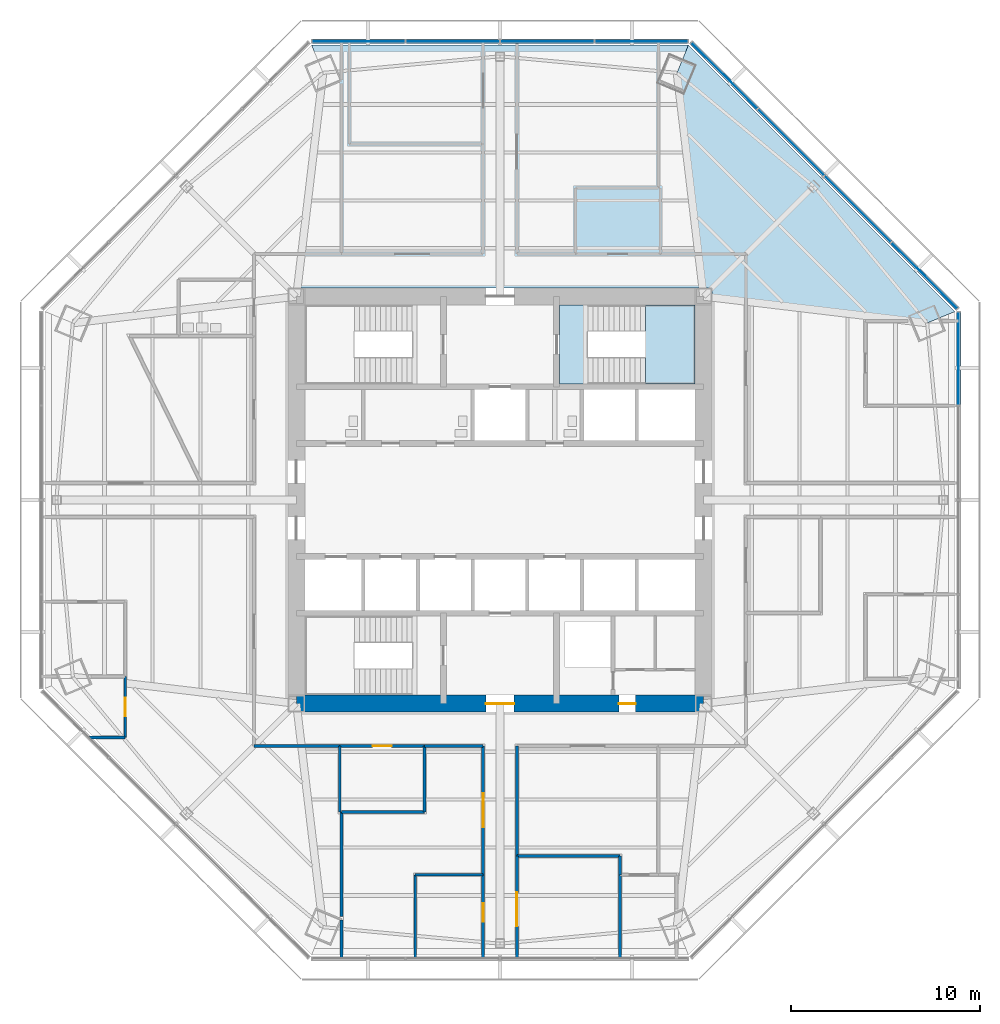
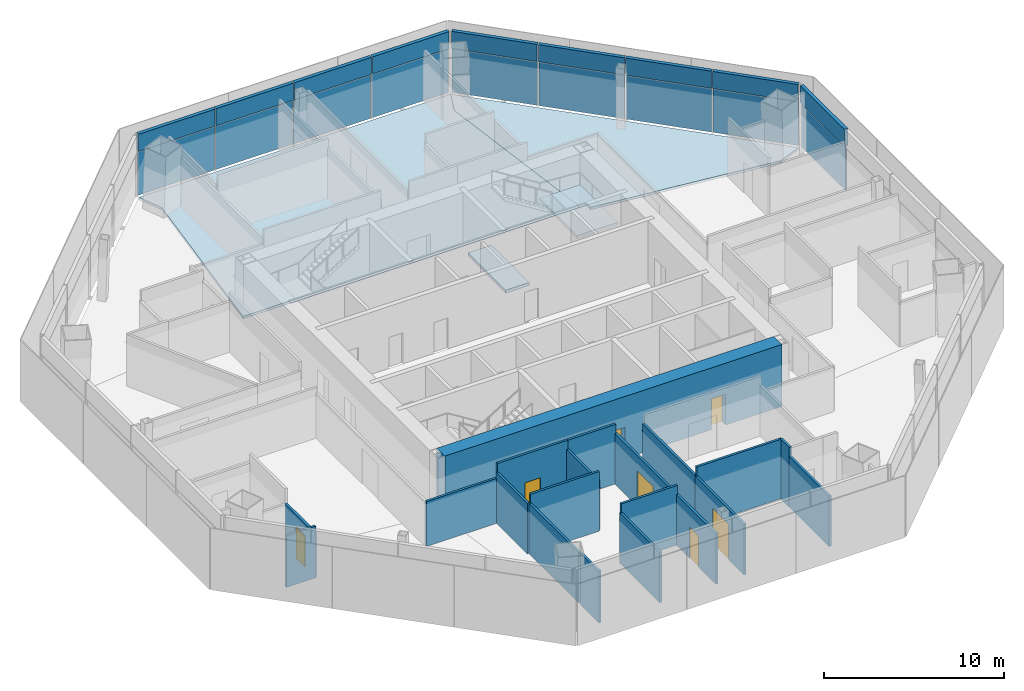
# One storey, part 8 of 14: 20 walls, 18 plates, 7 doors, 4 slabs, 7 openings, 4 elements without a shape of their own.
"""IFC4 building model written with IfcOpenShell, lengths in metres."""

import ifcopenshell
import ifcopenshell.guid

model = None  # the IFC model being written
_history = None  # IfcOwnerHistory: only IFC2X3 demands one
_inside = {}  # id of a spatial element -> (the spatial element, [elements in it])
_under = {}  # id of a project, library or spatial element -> (it, [spatial elements below it])
_declared = {}  # id of a project -> (the project, [libraries it declares])
_typed = {}  # id of a type object -> (the type object, [elements of that type])
_made_of = {}  # id of a material, layer set ... -> (it, [elements and type objects made of it])


def new_model(schema):
    """Start an empty IFC model of exactly this schema.

    Asked for "IFC4X3", IfcOpenShell would pick the latest addendum, in which some entities
    have other attributes; the version numbers below select the first issue.
    IFC2X3 requires an IfcOwnerHistory on every rooted entity: one is made here for all.
    """
    global model, _history
    if schema == "IFC4X3":
        model = ifcopenshell.file(schema_version=(4, 3, 0, 0))
    else:
        model = ifcopenshell.file(schema=schema)
    _inside.clear()
    _under.clear()
    _declared.clear()
    _typed.clear()
    _made_of.clear()
    _history = None
    if model.schema == "IFC2X3":
        org = make("IfcOrganization", Name="unknown")
        user = make(
            "IfcPersonAndOrganization",
            ThePerson=make("IfcPerson", FamilyName="unknown"),
            TheOrganization=org,
        )
        app = make(
            "IfcApplication",
            ApplicationDeveloper=org,
            Version="unknown",
            ApplicationFullName="unknown",
            ApplicationIdentifier="unknown",
        )
        _history = make(
            "IfcOwnerHistory",
            OwningUser=user,
            OwningApplication=app,
            ChangeAction="ADDED",
            CreationDate=0,
        )
    return model


def make(cls, **values):
    """One entity of the class cls with the attributes given. An attribute that is None is left unset."""
    return model.create_entity(
        cls, **{name: value for name, value in values.items() if value is not None}
    )


def rooted(cls, **values):
    """An entity with a GlobalId (a new one), such as an element, a storey or a relation."""
    return make(cls, GlobalId=ifcopenshell.guid.new(), OwnerHistory=_history, **values)


def si_unit(unit_type, name, prefix=None):
    """IfcSIUnit, for example si_unit("LENGTHUNIT", "METRE", prefix="MILLI")."""
    return make("IfcSIUnit", UnitType=unit_type, Prefix=prefix, Name=name)


def assignment(units):
    """IfcUnitAssignment: the units of a project."""
    return None if units is None else make("IfcUnitAssignment", Units=units)


def point(xyz):
    """IfcCartesianPoint."""
    return None if xyz is None else make("IfcCartesianPoint", Coordinates=xyz)


def direction(xyz):
    """IfcDirection."""
    return None if xyz is None else make("IfcDirection", DirectionRatios=xyz)


def frame(location, z_axis=None, x_axis=None):
    """IfcAxis2Placement3D, a coordinate frame: its origin and axes. An axis left out is left unset."""
    return make(
        "IfcAxis2Placement3D",
        Location=point(location),
        Axis=direction(z_axis),
        RefDirection=direction(x_axis),
    )


def frame_2d(location, x_axis=None):
    """IfcAxis2Placement2D, a coordinate frame in the plane: its origin and x axis."""
    return make(
        "IfcAxis2Placement2D", Location=point(location), RefDirection=direction(x_axis)
    )


def origin():
    """The frame at (0, 0, 0) with its axes left unset."""
    return frame((0.0, 0.0, 0.0))


def origin_2d():
    """The frame at (0, 0) in the plane with its x axis left unset."""
    return frame_2d((0.0, 0.0))


def place(relative_to, where):
    """IfcLocalPlacement: puts the frame where relative to a parent placement (None: the world)."""
    return make(
        "IfcLocalPlacement", PlacementRelTo=relative_to, RelativePlacement=where
    )


def context(
    kind, dimensions, precision=None, world=None, true_north=None, identifier=None
):
    """IfcGeometricRepresentationContext, for example the 3D "Model" context."""
    return make(
        "IfcGeometricRepresentationContext",
        ContextIdentifier=identifier,
        ContextType=kind,
        CoordinateSpaceDimension=dimensions,
        Precision=precision,
        WorldCoordinateSystem=world,
        TrueNorth=true_north,
    )


def subcontext(parent, identifier, kind, view, scale=None):
    """IfcGeometricRepresentationSubContext, for example "Body" below "Model"."""
    return make(
        "IfcGeometricRepresentationSubContext",
        ContextIdentifier=identifier,
        ContextType=kind,
        ParentContext=parent,
        TargetScale=scale,
        TargetView=view,
    )


def project(units=None, contexts=None):
    """IfcProject with its units and contexts."""
    return rooted(
        "IfcProject",
        Name="project",
        RepresentationContexts=contexts,
        UnitsInContext=assignment(units),
    )


def spatial(cls, under=None, at=None, **own):
    """A site, building, storey or space (cls), placed at a placement, below another one or the project."""
    s = rooted(cls, ObjectPlacement=at, **own)
    if under is not None:
        _under.setdefault(under.id(), (under, []))[1].append(s)
    return s


def polyline(points):
    """IfcPolyline through the points."""
    return make("IfcPolyline", Points=[point(p) for p in points])


def profile(cls, at=None, kind="AREA", **sizes):
    """A parametric profile (cls). Its sizes go by their IFC names, for example OverallWidth=200.0."""
    return make(cls, ProfileType=kind, Position=at, **sizes)


def rectangle(**sizes):
    """IfcRectangleProfileDef."""
    return profile("IfcRectangleProfileDef", **sizes)


def outline(outer, holes=None, kind="AREA"):
    """IfcArbitraryClosedProfileDef: a profile drawn as a closed curve; with holes, ...WithVoids."""
    if holes is None:
        return make("IfcArbitraryClosedProfileDef", ProfileType=kind, OuterCurve=outer)
    return make(
        "IfcArbitraryProfileDefWithVoids",
        ProfileType=kind,
        OuterCurve=outer,
        InnerCurves=holes,
    )


def extrude(swept, where, along, depth):
    """IfcExtrudedAreaSolid: the profile swept, set in the frame where, extruded along a direction by depth."""
    return make(
        "IfcExtrudedAreaSolid",
        SweptArea=swept,
        Position=where,
        ExtrudedDirection=direction(along),
        Depth=depth,
    )


def shape(context_of_items, identifier, shape_type, items):
    """IfcShapeRepresentation: the items that make up one representation, for example the "Body"."""
    return make(
        "IfcShapeRepresentation",
        ContextOfItems=context_of_items,
        RepresentationIdentifier=identifier,
        RepresentationType=shape_type,
        Items=items,
    )


def source(mapping_origin, context_of_items, identifier, shape_type, items):
    """IfcRepresentationMap: a shape defined once, which mapped items show again and again."""
    return make(
        "IfcRepresentationMap",
        MappingOrigin=mapping_origin,
        MappedRepresentation=shape(context_of_items, identifier, shape_type, items),
    )


def transform(
    local_origin,
    x_axis=None,
    y_axis=None,
    z_axis=None,
    scale=None,
    scale2=None,
    scale3=None,
    uniform=True,
):
    """IfcCartesianTransformationOperator3D, or its non-uniform kind. x_axis, y_axis, z_axis: its Axis1, 2, 3."""
    if uniform:
        return make(
            "IfcCartesianTransformationOperator3D",
            Axis1=direction(x_axis),
            Axis2=direction(y_axis),
            LocalOrigin=point(local_origin),
            Scale=scale,
            Axis3=direction(z_axis),
        )
    return make(
        "IfcCartesianTransformationOperator3DnonUniform",
        Axis1=direction(x_axis),
        Axis2=direction(y_axis),
        LocalOrigin=point(local_origin),
        Scale=scale,
        Axis3=direction(z_axis),
        Scale2=scale2,
        Scale3=scale3,
    )


def mapped(mapping_source, mapping_target):
    """IfcMappedItem: shows the shape of a source again, moved by a transform."""
    return make(
        "IfcMappedItem", MappingSource=mapping_source, MappingTarget=mapping_target
    )


def material(Name=None, Category=None):
    """IfcMaterial."""
    return make("IfcMaterial", Name=Name, Category=Category)


def layer(
    of_material, thickness, ventilated=None, Name=None, Category=None, Priority=None
):
    """IfcMaterialLayer: one layer of a wall or slab, of a material (None: an air gap)."""
    return make(
        "IfcMaterialLayer",
        Material=of_material,
        LayerThickness=thickness,
        IsVentilated=ventilated,
        Name=Name,
        Category=Category,
        Priority=Priority,
    )


def layer_set(layers, Name=None):
    """IfcMaterialLayerSet."""
    return make("IfcMaterialLayerSet", MaterialLayers=layers, LayerSetName=Name)


def made_of(thing, what):
    """Note that an element or type object is made of a material, layer set ...; save() writes the relation."""
    if what is not None:
        _made_of.setdefault(what.id(), (what, []))[1].append(thing)
    return thing


def type_object(cls, material=None, **own):
    """A type object (cls), such as IfcWallType, which elements share."""
    return made_of(rooted(cls, **own), material)


def type_shapes(of_type, sources):
    """Give a type object the sources (RepresentationMaps) that its elements show as mapped items."""
    of_type.RepresentationMaps = sources


def element(
    cls,
    number,
    at=None,
    inside=None,
    cuts=None,
    type_object=None,
    material=None,
    context=None,
    identifier="Body",
    shape_type=None,
    held_by="IfcProductDefinitionShape",
    body=None,
    shapes=None,
    **own,
):
    """One element of the class cls, such as IfcWall. Its Tag is "e" and its number.

    at: its placement. inside: the storey or other place that contains it. cuts: it is an
    opening in that element (IfcRelVoidsElement). A single representation is given by context,
    identifier, shape_type and body (its items); several are given by shapes. held_by: the class
    of the entity that holds the representations. save() writes the other relations.
    """
    e = rooted(cls, Tag="e%d" % number, ObjectPlacement=at, **own)
    if body is not None:
        shapes = [shape(context, identifier, shape_type, body)]
    if shapes is not None:
        e.Representation = make(held_by, Representations=shapes)
    if inside is not None:
        _inside.setdefault(inside.id(), (inside, []))[1].append(e)
    if cuts is not None:
        rooted(
            "IfcRelVoidsElement", RelatingBuildingElement=cuts, RelatedOpeningElement=e
        )
    if type_object is not None:
        _typed.setdefault(type_object.id(), (type_object, []))[1].append(e)
    return made_of(e, material)


def fill(opening, filler):
    """IfcRelFillsElement: the door or window that sits in an opening."""
    return rooted(
        "IfcRelFillsElement",
        RelatingOpeningElement=opening,
        RelatedBuildingElement=filler,
    )


def aggregate(whole, parts):
    """IfcRelAggregates: a whole, such as a stair, and the parts it consists of."""
    return rooted("IfcRelAggregates", RelatingObject=whole, RelatedObjects=parts)


def save(model, path):
    """Write the relations noted so far, then the file.

    IfcRelAggregates (storeys below a building ...), IfcRelContainedInSpatialStructure (elements
    in a storey), IfcRelDefinesByType, IfcRelAssociatesMaterial and IfcRelDeclares: one each for
    every whole, place, type object, material and project.
    """
    for whole, parts in _under.values():
        aggregate(whole, parts)
    for where, things in _inside.values():
        rooted(
            "IfcRelContainedInSpatialStructure",
            RelatedElements=things,
            RelatingStructure=where,
        )
    for kind, things in _typed.values():
        rooted("IfcRelDefinesByType", RelatedObjects=things, RelatingType=kind)
    for what, things in _made_of.values():
        rooted("IfcRelAssociatesMaterial", RelatedObjects=things, RelatingMaterial=what)
    for by, libraries in _declared.values():
        rooted("IfcRelDeclares", RelatingContext=by, RelatedDefinitions=libraries)
    model.write(path)


model = new_model("IFC4")

# Units and contexts
model_context = context("Model", 3, precision=1e-05, world=origin(), true_north=direction((0.0, 1.0)))
body_context = subcontext(model_context, "Body", "Model", "MODEL_VIEW")
ifc_project = project(units=[si_unit("LENGTHUNIT", "METRE"), si_unit("AREAUNIT", "SQUARE_METRE"), si_unit("VOLUMEUNIT", "CUBIC_METRE"), si_unit("PLANEANGLEUNIT", "RADIAN"), si_unit("MASSUNIT", "GRAM", prefix="KILO")], contexts=[model_context])

# Site, building, storey
site_placement = place(None, origin())
site = spatial("IfcSite", under=ifc_project, at=site_placement, CompositionType="ELEMENT")
building_placement = place(site_placement, origin())
building = spatial("IfcBuilding", under=site, at=building_placement, Name="Mashrafa Tower", CompositionType="ELEMENT")
storey_placement = place(building_placement, frame((0.0, 0.0, 130.199951171875)))
storey = spatial("IfcBuildingStorey", under=building, at=storey_placement, Name="L29", CompositionType="ELEMENT", Elevation=130.199951171875)

# Slabs
ifc_material_1 = material(Name="Concrete C35/45", Category="concrete")
ifc_layer_1 = layer(ifc_material_1, 0.1650390625)
ifc_layer_set_1 = layer_set([ifc_layer_1], Name="Floor slab 165")
slab_type_1 = type_object("IfcSlabType", Name="Floor slab 165", PredefinedType="FLOOR", material=ifc_layer_set_1)
slab_1_placement = place(storey_placement, frame((0.0, 0.0, -0.1650390625)))
element("IfcSlab", 1, at=slab_1_placement, inside=storey, type_object=slab_type_1, Name="Floor slab L29 north-east bay", PredefinedType="FLOOR", context=body_context, shape_type="SweptSolid", body=[
    extrude(outline(polyline([(24.131591796875, 9.99560546875), (22.657958984375, 9.38525390625), (11.25, 10.746337890625), (11.25, 11.25), (10.746337890625, 11.25), (9.38525390625, 22.657958984375), (9.99560546875, 24.131591796875), (24.131591796875, 9.99560546875)])), origin(), (0.0, 0.0, 1.0), 0.1650390625),
])
slab_2_placement = place(storey_placement, frame((0.0, 0.0, -0.1650390625)))
element("IfcSlab", 2, at=slab_2_placement, inside=storey, type_object=slab_type_1, Name="Floor slab L29 north bay", PredefinedType="FLOOR", context=body_context, shape_type="SweptSolid", body=[
    extrude(outline(polyline([(-9.99560546875, 24.131591796875), (9.99560546875, 24.131591796875), (9.99560546875, 24.131591796875), (9.38525390625, 22.657958984375), (10.746337890625, 11.25), (-10.746337890625, 11.25), (-9.38525390625, 22.657958984375), (-9.99560546875, 24.131591796875), (-9.99560546875, 24.131591796875)])), origin(), (0.0, 0.0, 1.0), 0.1650390625),
])

# Stair, slabs
ifc_material_2 = material(Name="Exit stair 1400")
stair_type = type_object("IfcStairType", Name="Exit stair 1400", PredefinedType="HALF_TURN_STAIR", material=ifc_material_2)
stair_placement = place(storey_placement, origin())
stair = element("IfcStair", 3, at=stair_placement, inside=storey, type_object=stair_type, Name="Stair S2 L29", PredefinedType="HALF_TURN_STAIR")
ifc_material_3 = material(Name="Concrete C32/40", Category="concrete")
ifc_layer_2 = layer(ifc_material_3, 0.199951171875)
ifc_layer_set_2 = layer_set([ifc_layer_2], Name="Stair landing 200")
slab_type_2 = type_object("IfcSlabType", Name="Stair landing 200", PredefinedType="LANDING", material=ifc_layer_set_2)
slab_3_placement = place(storey_placement, frame((0.0, 0.0, -0.199951171875)))
slab_3 = element("IfcSlab", 4, at=slab_3_placement, type_object=slab_type_2, Name="S2 landing 1", PredefinedType="LANDING", context=body_context, shape_type="SweptSolid", body=[
    extrude(outline(polyline([(3.14990234375, 6.14990234375), (4.659912109375, 6.14990234375), (4.659912109375, 10.35009765625), (3.14990234375, 10.35009765625), (3.14990234375, 6.14990234375)])), origin(), (0.0, 0.0, 1.0), 0.199951171875),
])
slab_4_placement = place(storey_placement, frame((0.0, 0.0, 1.900146484375)))
slab_4 = element("IfcSlab", 5, at=slab_4_placement, type_object=slab_type_2, Name="S2 landing 2", PredefinedType="LANDING", context=body_context, shape_type="SweptSolid", body=[
    extrude(outline(polyline([(7.719970703125, 6.14990234375), (10.35009765625, 6.14990234375), (10.35009765625, 10.35009765625), (7.719970703125, 10.35009765625), (7.719970703125, 6.14990234375)])), origin(), (0.0, 0.0, 1.0), 0.199951171875),
])
aggregate(stair, [slab_3, slab_4])

# Curtain wall, plate
ifc_material_4 = material(Name="Unitised aluminium curtain wall", Category="aluminium")
curtain_wall_type = type_object("IfcCurtainWallType", Name="Office curtain wall, zone 2 CW-B 225 deep", PredefinedType="NOTDEFINED", material=ifc_material_4)
curtain_wall_1_placement = place(storey_placement, origin())
curtain_wall_1 = element("IfcCurtainWall", 6, at=curtain_wall_1_placement, inside=storey, type_object=curtain_wall_type, Name="Office curtain wall, zone 2 L29 east", PredefinedType="NOTDEFINED")
ifc_material_5 = material(Name="Insulated double glazing, low-e, neutral", Category="glass")
ifc_layer_3 = layer(ifc_material_5, 0.028076171875)
ifc_layer_set_3 = layer_set([ifc_layer_3], Name="Vision panel CW-B 28")
plate_type_1 = type_object("IfcPlateType", Name="Vision panel CW-B 28", PredefinedType="CURTAIN_PANEL", material=ifc_layer_set_3)
shared_shape_1 = source(origin(), body_context, "Body", "SweptSolid", [
    extrude(rectangle(XDim=4.913330078125, YDim=0.028076171875, at=origin_2d()), origin(), (0.0, 0.0, 1.0), 2.9599609375),
])
plate_1_placement = place(storey_placement, frame((24.33154296875, 7.500244140625, 0.0), z_axis=(0.0, 0.0, 1.0), x_axis=(0.0, 1.0, 0.0)))
plate_1 = element("IfcPlate", 7, at=plate_1_placement, type_object=plate_type_1, Name="CW-B vision panel 4", PredefinedType="CURTAIN_PANEL", context=body_context, shape_type="MappedRepresentation", body=[
    mapped(shared_shape_1, transform((0.0, 0.0, 0.0))),
])

# Curtain wall, plates
curtain_wall_2_placement = place(storey_placement, origin())
curtain_wall_2 = element("IfcCurtainWall", 8, at=curtain_wall_2_placement, inside=storey, type_object=curtain_wall_type, Name="Office curtain wall, zone 2 L29 north-east", PredefinedType="NOTDEFINED")
plate_2_placement = place(storey_placement, frame((22.50830078125, 11.901611328125, 0.0), z_axis=(0.0, 0.0, 1.0), x_axis=(-0.707106781187, 0.707106781187, 0.0)))
plate_2 = element("IfcPlate", 9, at=plate_2_placement, type_object=plate_type_1, Name="CW-B vision panel 1", PredefinedType="CURTAIN_PANEL", context=body_context, shape_type="MappedRepresentation", body=[
    mapped(shared_shape_1, transform((0.0, 0.0, 0.0))),
])
plate_3_placement = place(storey_placement, frame((11.901611328125, 22.50830078125, 0.0), z_axis=(0.0, 0.0, 1.0), x_axis=(-0.707106781187, 0.707106781187, 0.0)))
plate_3 = element("IfcPlate", 10, at=plate_3_placement, type_object=plate_type_1, Name="CW-B vision panel 4", PredefinedType="CURTAIN_PANEL", context=body_context, shape_type="MappedRepresentation", body=[
    mapped(shared_shape_1, transform((0.0, 0.0, 0.0))),
])

curtain_wall_3_placement = place(storey_placement, origin())
curtain_wall_3 = element("IfcCurtainWall", 11, at=curtain_wall_3_placement, inside=storey, type_object=curtain_wall_type, Name="Office curtain wall, zone 2 L29 north", PredefinedType="NOTDEFINED")
plate_4_placement = place(storey_placement, frame((7.500244140625, 24.33154296875, 0.0), z_axis=(0.0, 0.0, 1.0), x_axis=(-1.0, 0.0, 0.0)))
plate_4 = element("IfcPlate", 12, at=plate_4_placement, type_object=plate_type_1, Name="CW-B vision panel 1", PredefinedType="CURTAIN_PANEL", context=body_context, shape_type="MappedRepresentation", body=[
    mapped(shared_shape_1, transform((0.0, 0.0, 0.0))),
])
plate_5_placement = place(storey_placement, frame((-7.500244140625, 24.33154296875, 0.0), z_axis=(0.0, 0.0, 1.0), x_axis=(-1.0, 0.0, 0.0)))
plate_5 = element("IfcPlate", 13, at=plate_5_placement, type_object=plate_type_1, Name="CW-B vision panel 4", PredefinedType="CURTAIN_PANEL", context=body_context, shape_type="MappedRepresentation", body=[
    mapped(shared_shape_1, transform((0.0, 0.0, 0.0))),
])

# Plate
ifc_material_6 = material(Name="Insulated aluminium spandrel panel", Category="aluminium")
ifc_layer_4 = layer(ifc_material_6, 0.219970703125)
ifc_layer_set_4 = layer_set([ifc_layer_4], Name="Spandrel panel CW-B 220")
plate_type_2 = type_object("IfcPlateType", Name="Spandrel panel CW-B 220", PredefinedType="CURTAIN_PANEL", material=ifc_layer_set_4)
shared_shape_2 = source(origin(), body_context, "Body", "SweptSolid", [
    extrude(rectangle(XDim=4.913330078125, YDim=0.219970703125, at=origin_2d()), origin(), (0.0, 0.0, 1.0), 1.159912109375),
])
plate_6_placement = place(storey_placement, frame((24.33154296875, 7.500244140625, 3.0400390625), z_axis=(0.0, 0.0, 1.0), x_axis=(0.0, 1.0, 0.0)))
plate_6 = element("IfcPlate", 14, at=plate_6_placement, type_object=plate_type_2, Name="CW-B spandrel panel 4", PredefinedType="CURTAIN_PANEL", context=body_context, shape_type="MappedRepresentation", body=[
    mapped(shared_shape_2, transform((0.0, 0.0, 0.0))),
])

aggregate(curtain_wall_1, [plate_1, plate_6])

plate_7_placement = place(storey_placement, frame((22.50830078125, 11.901611328125, 3.0400390625), z_axis=(0.0, 0.0, 1.0), x_axis=(-0.707106781187, 0.707106781187, 0.0)))
plate_7 = element("IfcPlate", 15, at=plate_7_placement, type_object=plate_type_2, Name="CW-B spandrel panel 1", PredefinedType="CURTAIN_PANEL", context=body_context, shape_type="MappedRepresentation", body=[
    mapped(shared_shape_2, transform((0.0, 0.0, 0.0))),
])

plate_8_placement = place(storey_placement, frame((11.901611328125, 22.50830078125, 3.0400390625), z_axis=(0.0, 0.0, 1.0), x_axis=(-0.707106781187, 0.707106781187, 0.0)))
plate_8 = element("IfcPlate", 16, at=plate_8_placement, type_object=plate_type_2, Name="CW-B spandrel panel 4", PredefinedType="CURTAIN_PANEL", context=body_context, shape_type="MappedRepresentation", body=[
    mapped(shared_shape_2, transform((0.0, 0.0, 0.0))),
])

plate_9_placement = place(storey_placement, frame((7.500244140625, 24.33154296875, 3.0400390625), z_axis=(0.0, 0.0, 1.0), x_axis=(-1.0, 0.0, 0.0)))
plate_9 = element("IfcPlate", 17, at=plate_9_placement, type_object=plate_type_2, Name="CW-B spandrel panel 1", PredefinedType="CURTAIN_PANEL", context=body_context, shape_type="MappedRepresentation", body=[
    mapped(shared_shape_2, transform((0.0, 0.0, 0.0))),
])

plate_10_placement = place(storey_placement, frame((-7.500244140625, 24.33154296875, 3.0400390625), z_axis=(0.0, 0.0, 1.0), x_axis=(-1.0, 0.0, 0.0)))
plate_10 = element("IfcPlate", 18, at=plate_10_placement, type_object=plate_type_2, Name="CW-B spandrel panel 4", PredefinedType="CURTAIN_PANEL", context=body_context, shape_type="MappedRepresentation", body=[
    mapped(shared_shape_2, transform((0.0, 0.0, 0.0))),
])

shared_shape_3 = source(origin(), body_context, "Body", "SweptSolid", [
    extrude(rectangle(XDim=4.946044921875, YDim=0.028076171875, at=origin_2d()), origin(), (0.0, 0.0, 1.0), 2.9599609375),
])
type_shapes(plate_type_1, [shared_shape_1, shared_shape_3])
plate_11_placement = place(storey_placement, frame((18.9765625, 15.433349609375, 0.0), z_axis=(0.0, 0.0, 1.0), x_axis=(-0.707106781187, 0.707106781187, 0.0)))
plate_11 = element("IfcPlate", 19, at=plate_11_placement, type_object=plate_type_1, Name="CW-B vision panel 2", PredefinedType="CURTAIN_PANEL", context=body_context, shape_type="MappedRepresentation", body=[
    mapped(shared_shape_3, transform((0.0, 0.0, 0.0))),
])

plate_12_placement = place(storey_placement, frame((15.433349609375, 18.9765625, 0.0), z_axis=(0.0, 0.0, 1.0), x_axis=(-0.707106781187, 0.707106781187, 0.0)))
plate_12 = element("IfcPlate", 20, at=plate_12_placement, type_object=plate_type_1, Name="CW-B vision panel 3", PredefinedType="CURTAIN_PANEL", context=body_context, shape_type="MappedRepresentation", body=[
    mapped(shared_shape_3, transform((0.0, 0.0, 0.0))),
])

plate_13_placement = place(storey_placement, frame((2.50537109375, 24.33154296875, 0.0), z_axis=(0.0, 0.0, 1.0), x_axis=(-1.0, 0.0, 0.0)))
plate_13 = element("IfcPlate", 21, at=plate_13_placement, type_object=plate_type_1, Name="CW-B vision panel 2", PredefinedType="CURTAIN_PANEL", context=body_context, shape_type="MappedRepresentation", body=[
    mapped(shared_shape_3, transform((0.0, 0.0, 0.0))),
])

plate_14_placement = place(storey_placement, frame((-2.50537109375, 24.33154296875, 0.0), z_axis=(0.0, 0.0, 1.0), x_axis=(-1.0, 0.0, 0.0)))
plate_14 = element("IfcPlate", 22, at=plate_14_placement, type_object=plate_type_1, Name="CW-B vision panel 3", PredefinedType="CURTAIN_PANEL", context=body_context, shape_type="MappedRepresentation", body=[
    mapped(shared_shape_3, transform((0.0, 0.0, 0.0))),
])

shared_shape_4 = source(origin(), body_context, "Body", "SweptSolid", [
    extrude(rectangle(XDim=4.946044921875, YDim=0.219970703125, at=origin_2d()), origin(), (0.0, 0.0, 1.0), 1.159912109375),
])
type_shapes(plate_type_2, [shared_shape_2, shared_shape_4])
plate_15_placement = place(storey_placement, frame((18.9765625, 15.433349609375, 3.0400390625), z_axis=(0.0, 0.0, 1.0), x_axis=(-0.707106781187, 0.707106781187, 0.0)))
plate_15 = element("IfcPlate", 23, at=plate_15_placement, type_object=plate_type_2, Name="CW-B spandrel panel 2", PredefinedType="CURTAIN_PANEL", context=body_context, shape_type="MappedRepresentation", body=[
    mapped(shared_shape_4, transform((0.0, 0.0, 0.0))),
])

plate_16_placement = place(storey_placement, frame((15.433349609375, 18.9765625, 3.0400390625), z_axis=(0.0, 0.0, 1.0), x_axis=(-0.707106781187, 0.707106781187, 0.0)))
plate_16 = element("IfcPlate", 24, at=plate_16_placement, type_object=plate_type_2, Name="CW-B spandrel panel 3", PredefinedType="CURTAIN_PANEL", context=body_context, shape_type="MappedRepresentation", body=[
    mapped(shared_shape_4, transform((0.0, 0.0, 0.0))),
])

aggregate(curtain_wall_2, [plate_2, plate_7, plate_11, plate_15, plate_12, plate_16, plate_3, plate_8])

plate_17_placement = place(storey_placement, frame((2.50537109375, 24.33154296875, 3.0400390625), z_axis=(0.0, 0.0, 1.0), x_axis=(-1.0, 0.0, 0.0)))
plate_17 = element("IfcPlate", 25, at=plate_17_placement, type_object=plate_type_2, Name="CW-B spandrel panel 2", PredefinedType="CURTAIN_PANEL", context=body_context, shape_type="MappedRepresentation", body=[
    mapped(shared_shape_4, transform((0.0, 0.0, 0.0))),
])

plate_18_placement = place(storey_placement, frame((-2.50537109375, 24.33154296875, 3.0400390625), z_axis=(0.0, 0.0, 1.0), x_axis=(-1.0, 0.0, 0.0)))
plate_18 = element("IfcPlate", 26, at=plate_18_placement, type_object=plate_type_2, Name="CW-B spandrel panel 3", PredefinedType="CURTAIN_PANEL", context=body_context, shape_type="MappedRepresentation", body=[
    mapped(shared_shape_4, transform((0.0, 0.0, 0.0))),
])

aggregate(curtain_wall_3, [plate_4, plate_9, plate_13, plate_17, plate_14, plate_18, plate_5, plate_10])

# Wall, openings, doors
ifc_material_7 = material(Name="Concrete C60/75", Category="concrete")
ifc_layer_5 = layer(ifc_material_7, 0.89990234375)
ifc_layer_set_5 = layer_set([ifc_layer_5], Name="Core wall 900 C60/75")
wall_type_1 = type_object("IfcWallType", Name="Core wall 900 C60/75", PredefinedType="SOLIDWALL", material=ifc_layer_set_5)
wall_1_placement = place(storey_placement, frame((-10.800048828125, -10.800048828125, 0.0), z_axis=(0.0, 0.0, 1.0), x_axis=(1.0, 0.0, 0.0)))
wall_1 = element("IfcWall", 27, at=wall_1_placement, inside=storey, type_object=wall_type_1, Name="Core wall CW-S L29", PredefinedType="SOLIDWALL", context=body_context, shape_type="SweptSolid", body=[
    extrude(rectangle(XDim=21.60009765625, YDim=0.89990234375, at=frame_2d((10.800048828125, 0.0))), origin(), (0.0, 0.0, 1.0), 4.199951171875),
])
opening_1_placement = place(wall_1_placement, frame((10.050048828125, 0.0, 0.0)))
opening_1 = element("IfcOpeningElement", 28, at=opening_1_placement, cuts=wall_1, Name="Opening 29.027", PredefinedType="OPENING", context=body_context, shape_type="SweptSolid", body=[
    extrude(rectangle(XDim=1.5, YDim=2.10009765625, at=frame_2d((0.75, 1.050048828125))), frame((0.0, 0.4599609375, 0.0), z_axis=(0.0, -1.0, 0.0), x_axis=(1.0, 0.0, 0.0)), (0.0, 0.0, 1.0), 0.919921875),
])
opening_2_placement = place(wall_1_placement, frame((17.10009765625, 0.0, 0.0)))
opening_2 = element("IfcOpeningElement", 29, at=opening_2_placement, cuts=wall_1, Name="Opening 29.031", PredefinedType="OPENING", context=body_context, shape_type="SweptSolid", body=[
    extrude(rectangle(XDim=0.89990234375, YDim=2.10009765625, at=frame_2d((0.449951171875, 1.050048828125))), frame((0.0, 0.4599609375, 0.0), z_axis=(0.0, -1.0, 0.0), x_axis=(1.0, 0.0, 0.0)), (0.0, 0.0, 1.0), 0.919921875),
])
ifc_material_8 = material(Name="Steel door", Category="steel")
door_type_1 = type_object("IfcDoorType", Name="Lobby door pair 1500 x 2100 90 min", OperationType="DOUBLE_DOOR_SINGLE_SWING", PredefinedType="DOOR", material=ifc_material_8)
door_1_placement = place(opening_1_placement, origin())
door_1 = element("IfcDoor", 30, at=door_1_placement, inside=storey, type_object=door_type_1, Name="Fire-fighting lobby F2 door L29", OperationType="DOUBLE_DOOR_SINGLE_SWING", OverallHeight=2.10009765625, OverallWidth=1.5, PredefinedType="DOOR", context=body_context, shape_type="SweptSolid", body=[
    extrude(rectangle(XDim=1.5, YDim=2.10009765625, at=frame_2d((0.75, 1.050048828125))), frame((0.0, 0.02490234375, 0.0), z_axis=(0.0, -1.0, 0.0), x_axis=(1.0, 0.0, 0.0)), (0.0, 0.0, 1.0), 0.050048828125),
])
fill(opening_1, door_1)
ifc_material_9 = material(Name="Steel door", Category="steel")
door_type_2 = type_object("IfcDoorType", Name="Service door 900 x 2100 90 min", OperationType="USERDEFINED", PredefinedType="DOOR", material=ifc_material_9)
door_2_placement = place(opening_2_placement, frame((0.89990234375, 0.0, 0.0), z_axis=(0.0, 0.0, 1.0), x_axis=(-1.0, 0.0, 0.0)))
door_2 = element("IfcDoor", 31, at=door_2_placement, inside=storey, type_object=door_type_2, Name="Services Lobby L29 door", OperationType="SINGLE_SWING_LEFT", OverallHeight=2.10009765625, OverallWidth=0.89990234375, PredefinedType="DOOR", context=body_context, shape_type="SweptSolid", body=[
    extrude(rectangle(XDim=0.89990234375, YDim=2.10009765625, at=frame_2d((0.449951171875, 1.050048828125))), frame((0.0, 0.02490234375, 0.0), z_axis=(0.0, -1.0, 0.0), x_axis=(1.0, 0.0, 0.0)), (0.0, 0.0, 1.0), 0.050048828125),
])
fill(opening_2, door_2)

# Wall, opening, door
ifc_material_10 = material(Name="Gypsum board on steel studs", Category="steel")
ifc_layer_6 = layer(ifc_material_10, 0.14990234375)
ifc_layer_set_6 = layer_set([ifc_layer_6], Name="Corridor partition 150 1 hr")
wall_type_2 = type_object("IfcWallType", Name="Corridor partition 150 1 hr", PredefinedType="PARTITIONING", material=ifc_layer_set_6)
wall_2_placement = place(storey_placement, frame((-8.5009765625, -13.050048828125, 0.0), z_axis=(0.0, 0.0, 1.0), x_axis=(1.0, 0.0, 0.0)))
wall_2 = element("IfcWall", 32, at=wall_2_placement, inside=storey, type_object=wall_type_2, Name="Corridor wall L29-008", PredefinedType="PARTITIONING", context=body_context, shape_type="SweptSolid", body=[
    extrude(rectangle(XDim=4.501953125, YDim=0.14990234375, at=frame_2d((2.2509765625, 0.0))), origin(), (0.0, 0.0, 1.0), 4.03515625),
])
opening_3_placement = place(wall_2_placement, frame((1.7509765625, 0.0, 0.0)))
opening_3 = element("IfcOpeningElement", 33, at=opening_3_placement, cuts=wall_2, Name="Opening 29.006", PredefinedType="OPENING", context=body_context, shape_type="SweptSolid", body=[
    extrude(rectangle(XDim=1.0, YDim=2.10009765625, at=frame_2d((0.5, 1.050048828125))), frame((0.0, 0.0849609375, 0.0), z_axis=(0.0, -1.0, 0.0), x_axis=(1.0, 0.0, 0.0)), (0.0, 0.0, 1.0), 0.169921875),
])
ifc_material_11 = material(Name="Timber door", Category="wood")
door_type_3 = type_object("IfcDoorType", Name="Door 1000 x 2100", OperationType="USERDEFINED", PredefinedType="DOOR", material=ifc_material_11)
door_3_placement = place(opening_3_placement, frame((1.0, 0.0, 0.0), z_axis=(0.0, 0.0, 1.0), x_axis=(-1.0, 0.0, 0.0)))
door_3 = element("IfcDoor", 34, at=door_3_placement, inside=storey, type_object=door_type_3, Name="Pantry 29-S door", OperationType="SINGLE_SWING_RIGHT", OverallHeight=2.10009765625, OverallWidth=1.0, PredefinedType="DOOR", context=body_context, shape_type="SweptSolid", body=[
    extrude(rectangle(XDim=1.0, YDim=2.10009765625, at=frame_2d((0.5, 1.050048828125))), frame((0.0, 0.02490234375, 0.0), z_axis=(0.0, -1.0, 0.0), x_axis=(1.0, 0.0, 0.0)), (0.0, 0.0, 1.0), 0.050048828125),
])
fill(opening_3, door_3)

wall_3_placement = place(storey_placement, frame((0.89990234375, -24.3154296875, 0.0), z_axis=(0.0, 0.0, 1.0), x_axis=(0.0, 1.0, 0.0)))
wall_3 = element("IfcWall", 35, at=wall_3_placement, inside=storey, type_object=wall_type_2, Name="Corridor wall L29-009", PredefinedType="PARTITIONING", context=body_context, shape_type="SweptSolid", body=[
    extrude(rectangle(XDim=5.434814453125, YDim=0.14990234375, at=frame_2d((2.71728515625, 0.0))), origin(), (0.0, 0.0, 1.0), 3.425537109375),
])
opening_4_placement = place(wall_3_placement, frame((1.699462890625, 0.0, 0.0)))
opening_4 = element("IfcOpeningElement", 36, at=opening_4_placement, cuts=wall_3, Name="Opening 29.009", PredefinedType="OPENING", context=body_context, shape_type="SweptSolid", body=[
    extrude(rectangle(XDim=1.800048828125, YDim=2.39990234375, at=frame_2d((0.89990234375, 1.199951171875))), frame((0.0, 0.0849609375, 0.0), z_axis=(0.0, -1.0, 0.0), x_axis=(1.0, 0.0, 0.0)), (0.0, 0.0, 1.0), 0.169921875),
])
ifc_material_12 = material(Name="Timber door", Category="wood")
door_type_4 = type_object("IfcDoorType", Name="Door pair 1800 x 2400", OperationType="DOUBLE_DOOR_SINGLE_SWING", PredefinedType="DOOR", material=ifc_material_12)
door_4_placement = place(opening_4_placement, frame((1.800048828125, 0.0, 0.0), z_axis=(0.0, 0.0, 1.0), x_axis=(-1.0, 0.0, 0.0)))
door_4 = element("IfcDoor", 37, at=door_4_placement, inside=storey, type_object=door_type_4, Name="Training Room 29-S door", OperationType="DOUBLE_DOOR_SINGLE_SWING", OverallHeight=2.39990234375, OverallWidth=1.800048828125, PredefinedType="DOOR", context=body_context, shape_type="SweptSolid", body=[
    extrude(rectangle(XDim=1.800048828125, YDim=2.39990234375, at=frame_2d((0.89990234375, 1.199951171875))), frame((0.0, 0.02490234375, 0.0), z_axis=(0.0, -1.0, 0.0), x_axis=(1.0, 0.0, 0.0)), (0.0, 0.0, 1.0), 0.050048828125),
])
fill(opening_4, door_4)

wall_4_placement = place(storey_placement, frame((-0.89990234375, -19.880615234375, 0.0), z_axis=(0.0, 0.0, 1.0), x_axis=(0.0, -1.0, 0.0)))
wall_4 = element("IfcWall", 38, at=wall_4_placement, inside=storey, type_object=wall_type_2, Name="Corridor wall L29-010", PredefinedType="PARTITIONING", context=body_context, shape_type="SweptSolid", body=[
    extrude(rectangle(XDim=4.434814453125, YDim=0.14990234375, at=frame_2d((2.21728515625, 0.0))), origin(), (0.0, 0.0, 1.0), 3.425537109375),
])
opening_5_placement = place(wall_4_placement, frame((1.50048828125, 0.0, 0.0)))
opening_5 = element("IfcOpeningElement", 39, at=opening_5_placement, cuts=wall_4, Name="Opening 29.011", PredefinedType="OPENING", context=body_context, shape_type="SweptSolid", body=[
    extrude(rectangle(XDim=1.0, YDim=2.10009765625, at=frame_2d((0.5, 1.050048828125))), frame((0.0, 0.0849609375, 0.0), z_axis=(0.0, -1.0, 0.0), x_axis=(1.0, 0.0, 0.0)), (0.0, 0.0, 1.0), 0.169921875),
])
door_5_placement = place(opening_5_placement, frame((1.0, 0.0, 0.0), z_axis=(0.0, 0.0, 1.0), x_axis=(-1.0, 0.0, 0.0)))
door_5 = element("IfcDoor", 40, at=door_5_placement, inside=storey, type_object=door_type_3, Name="Huddle Room 29-S door", OperationType="SINGLE_SWING_RIGHT", OverallHeight=2.10009765625, OverallWidth=1.0, PredefinedType="DOOR", context=body_context, shape_type="SweptSolid", body=[
    extrude(rectangle(XDim=1.0, YDim=2.10009765625, at=frame_2d((0.5, 1.050048828125))), frame((0.0, 0.02490234375, 0.0), z_axis=(0.0, -1.0, 0.0), x_axis=(1.0, 0.0, 0.0)), (0.0, 0.0, 1.0), 0.050048828125),
])
fill(opening_5, door_5)

# Walls
wall_5_placement = place(storey_placement, frame((-13.050048828125, -13.050048828125, 0.0), z_axis=(0.0, 0.0, 1.0), x_axis=(1.0, 0.0, 0.0)))
element("IfcWall", 41, at=wall_5_placement, inside=storey, type_object=wall_type_2, Name="Corridor wall L29-023", PredefinedType="PARTITIONING", context=body_context, shape_type="SweptSolid", body=[
    extrude(rectangle(XDim=4.551025390625, YDim=0.14990234375, at=frame_2d((2.275390625, 0.0))), origin(), (0.0, 0.0, 1.0), 3.0419921875),
])
wall_6_placement = place(storey_placement, frame((-4.0009765625, -13.050048828125, 0.0), z_axis=(0.0, 0.0, 1.0), x_axis=(1.0, 0.0, 0.0)))
element("IfcWall", 42, at=wall_6_placement, inside=storey, type_object=wall_type_2, Name="Corridor wall L29-024", PredefinedType="PARTITIONING", context=body_context, shape_type="SweptSolid", body=[
    extrude(rectangle(XDim=3.10107421875, YDim=0.14990234375, at=frame_2d((1.550537109375, 0.0))), origin(), (0.0, 0.0, 1.0), 4.03515625),
])

# Wall, opening, door
wall_7_placement = place(storey_placement, frame((-0.89990234375, -13.050048828125, 0.0), z_axis=(0.0, 0.0, 1.0), x_axis=(0.0, -1.0, 0.0)))
wall_7 = element("IfcWall", 43, at=wall_7_placement, inside=storey, type_object=wall_type_2, Name="Corridor wall L29-025", PredefinedType="PARTITIONING", context=body_context, shape_type="SweptSolid", body=[
    extrude(rectangle(XDim=6.83251953125, YDim=0.14990234375, at=frame_2d((3.416259765625, 0.0))), origin(), (0.0, 0.0, 1.0), 3.425537109375),
])
opening_6_placement = place(wall_7_placement, frame((2.516357421875, 0.0, 0.0)))
opening_6 = element("IfcOpeningElement", 44, at=opening_6_placement, cuts=wall_7, Name="Opening 29.019", PredefinedType="OPENING", context=body_context, shape_type="SweptSolid", body=[
    extrude(rectangle(XDim=1.800048828125, YDim=2.39990234375, at=frame_2d((0.89990234375, 1.199951171875))), frame((0.0, 0.0849609375, 0.0), z_axis=(0.0, -1.0, 0.0), x_axis=(1.0, 0.0, 0.0)), (0.0, 0.0, 1.0), 0.169921875),
])
door_6_placement = place(opening_6_placement, frame((1.800048828125, 0.0, 0.0), z_axis=(0.0, 0.0, 1.0), x_axis=(-1.0, 0.0, 0.0)))
door_6 = element("IfcDoor", 45, at=door_6_placement, inside=storey, type_object=door_type_4, Name="Office Tenancy 29-S-SW2 door", OperationType="DOUBLE_DOOR_SINGLE_SWING", OverallHeight=2.39990234375, OverallWidth=1.800048828125, PredefinedType="DOOR", context=body_context, shape_type="SweptSolid", body=[
    extrude(rectangle(XDim=1.800048828125, YDim=2.39990234375, at=frame_2d((0.89990234375, 1.199951171875))), frame((0.0, 0.02490234375, 0.0), z_axis=(0.0, -1.0, 0.0), x_axis=(1.0, 0.0, 0.0)), (0.0, 0.0, 1.0), 0.050048828125),
])
fill(opening_6, door_6)

# Walls
wall_8_placement = place(storey_placement, frame((0.89990234375, -18.882568359375, 0.0), z_axis=(0.0, 0.0, 1.0), x_axis=(0.0, 1.0, 0.0)))
element("IfcWall", 46, at=wall_8_placement, inside=storey, type_object=wall_type_2, Name="Corridor wall L29-029", PredefinedType="PARTITIONING", context=body_context, shape_type="SweptSolid", body=[
    extrude(rectangle(XDim=5.83251953125, YDim=0.14990234375, at=frame_2d((2.916259765625, 0.0))), origin(), (0.0, 0.0, 1.0), 3.425537109375),
])
ifc_material_13 = material(Name="Gypsum board on steel studs", Category="steel")
ifc_layer_7 = layer(ifc_material_13, 0.14990234375)
ifc_layer_set_7 = layer_set([ifc_layer_7], Name="Partition 150")
wall_type_3 = type_object("IfcWallType", Name="Partition 150", PredefinedType="PARTITIONING", material=ifc_layer_set_7)
wall_9_placement = place(storey_placement, frame((-8.5, -13.050048828125, 0.0), z_axis=(0.0, 0.0, 1.0), x_axis=(0.0, -1.0, 0.0)))
element("IfcWall", 47, at=wall_9_placement, inside=storey, type_object=wall_type_3, Name="Partition wall L29-043", PredefinedType="PARTITIONING", context=body_context, shape_type="SweptSolid", body=[
    extrude(rectangle(XDim=3.5, YDim=0.14990234375, at=frame_2d((1.75, 0.0))), origin(), (0.0, 0.0, 1.0), 3.425537109375),
])
wall_10_placement = place(storey_placement, frame((-8.40087890625, -16.550048828125, 0.0), z_axis=(0.0, 0.0, 1.0), x_axis=(1.0, 0.0, 0.0)))
element("IfcWall", 48, at=wall_10_placement, inside=storey, type_object=wall_type_3, Name="Partition wall L29-044", PredefinedType="PARTITIONING", context=body_context, shape_type="SweptSolid", body=[
    extrude(rectangle(XDim=4.40087890625, YDim=0.14990234375, at=frame_2d((2.200439453125, 0.0))), origin(), (0.0, 0.0, 1.0), 4.03515625),
])
wall_11_placement = place(storey_placement, frame((-4.0, -16.550048828125, 0.0), z_axis=(0.0, 0.0, 1.0), x_axis=(0.0, 1.0, 0.0)))
element("IfcWall", 49, at=wall_11_placement, inside=storey, type_object=wall_type_3, Name="Partition wall L29-045", PredefinedType="PARTITIONING", context=body_context, shape_type="SweptSolid", body=[
    extrude(rectangle(XDim=3.5, YDim=0.14990234375, at=frame_2d((1.75, 0.0))), origin(), (0.0, 0.0, 1.0), 3.425537109375),
])
wall_12_placement = place(storey_placement, frame((6.35888671875, -24.3134765625, 0.0), z_axis=(0.0, 0.0, 1.0), x_axis=(0.0, 1.0, 0.0)))
element("IfcWall", 50, at=wall_12_placement, inside=storey, type_object=wall_type_3, Name="Partition wall L29-054", PredefinedType="PARTITIONING", context=body_context, shape_type="SweptSolid", body=[
    extrude(rectangle(XDim=4.432861328125, YDim=0.14990234375, at=frame_2d((2.21630859375, 0.0))), origin(), (0.0, 0.0, 1.0), 3.425537109375),
])
wall_13_placement = place(storey_placement, frame((6.35888671875, -19.882568359375, 0.0), z_axis=(0.0, 0.0, 1.0), x_axis=(0.0, 1.0, 0.0)))
element("IfcWall", 51, at=wall_13_placement, inside=storey, type_object=wall_type_3, Name="Partition wall L29-055", PredefinedType="PARTITIONING", context=body_context, shape_type="SweptSolid", body=[
    extrude(rectangle(XDim=1.0009765625, YDim=0.14990234375, at=frame_2d((0.50048828125, 0.0))), origin(), (0.0, 0.0, 1.0), 4.03515625),
])
wall_14_placement = place(storey_placement, frame((6.35888671875, -18.881591796875, 0.0), z_axis=(0.0, 0.0, 1.0), x_axis=(-1.0, 0.0, 0.0)))
element("IfcWall", 52, at=wall_14_placement, inside=storey, type_object=wall_type_3, Name="Partition wall L29-056", PredefinedType="PARTITIONING", context=body_context, shape_type="SweptSolid", body=[
    extrude(rectangle(XDim=5.458984375, YDim=0.14990234375, at=frame_2d((2.7294921875, 0.0))), origin(), (0.0, 0.0, 1.0), 4.03515625),
])
wall_15_placement = place(storey_placement, frame((-0.89990234375, -19.881591796875, 0.0), z_axis=(0.0, 0.0, 1.0), x_axis=(-1.0, 0.0, 0.0)))
element("IfcWall", 53, at=wall_15_placement, inside=storey, type_object=wall_type_3, Name="Partition wall L29-061", PredefinedType="PARTITIONING", context=body_context, shape_type="SweptSolid", body=[
    extrude(rectangle(XDim=3.60009765625, YDim=0.14990234375, at=frame_2d((1.800048828125, 0.0))), origin(), (0.0, 0.0, 1.0), 4.03515625),
])
wall_16_placement = place(storey_placement, frame((-4.5, -19.881591796875, 0.0), z_axis=(0.0, 0.0, 1.0), x_axis=(0.0, -1.0, 0.0)))
element("IfcWall", 54, at=wall_16_placement, inside=storey, type_object=wall_type_3, Name="Partition wall L29-062", PredefinedType="PARTITIONING", context=body_context, shape_type="SweptSolid", body=[
    extrude(rectangle(XDim=4.431884765625, YDim=0.14990234375, at=frame_2d((2.2158203125, 0.0))), origin(), (0.0, 0.0, 1.0), 3.425537109375),
])
wall_17_placement = place(storey_placement, frame((-21.7861328125, -12.60009765625, 0.0), z_axis=(0.0, 0.0, 1.0), x_axis=(1.0, 0.0, 0.0)))
element("IfcWall", 55, at=wall_17_placement, inside=storey, type_object=wall_type_3, Name="Partition wall L29-067", PredefinedType="PARTITIONING", context=body_context, shape_type="SweptSolid", body=[
    extrude(rectangle(XDim=1.904541015625, YDim=0.14990234375, at=frame_2d((0.9521484375, 0.0))), origin(), (0.0, 0.0, 1.0), 3.499267578125),
])

# Wall, opening, door
wall_18_placement = place(storey_placement, frame((-19.881591796875, -12.60009765625, 0.0), z_axis=(0.0, 0.0, 1.0), x_axis=(0.0, 1.0, 0.0)))
wall_18 = element("IfcWall", 56, at=wall_18_placement, inside=storey, type_object=wall_type_3, Name="Partition wall L29-068", PredefinedType="PARTITIONING", context=body_context, shape_type="SweptSolid", body=[
    extrude(rectangle(XDim=3.2412109375, YDim=0.14990234375, at=frame_2d((1.62060546875, 0.0))), origin(), (0.0, 0.0, 1.0), 3.0419921875),
])
opening_7_placement = place(wall_18_placement, frame((1.12060546875, 0.0, 0.0)))
opening_7 = element("IfcOpeningElement", 57, at=opening_7_placement, cuts=wall_18, Name="Opening 29.013", PredefinedType="OPENING", context=body_context, shape_type="SweptSolid", body=[
    extrude(rectangle(XDim=1.0, YDim=2.10009765625, at=frame_2d((0.5, 1.050048828125))), frame((0.0, 0.0849609375, 0.0), z_axis=(0.0, -1.0, 0.0), x_axis=(1.0, 0.0, 0.0)), (0.0, 0.0, 1.0), 0.169921875),
])
door_7_placement = place(opening_7_placement, origin())
door_7 = element("IfcDoor", 58, at=door_7_placement, inside=storey, type_object=door_type_3, Name="Office 29-S-SW1-2 door", OperationType="SINGLE_SWING_LEFT", OverallHeight=2.10009765625, OverallWidth=1.0, PredefinedType="DOOR", context=body_context, shape_type="SweptSolid", body=[
    extrude(rectangle(XDim=1.0, YDim=2.10009765625, at=frame_2d((0.5, 1.050048828125))), frame((0.0, 0.02490234375, 0.0), z_axis=(0.0, -1.0, 0.0), x_axis=(1.0, 0.0, 0.0)), (0.0, 0.0, 1.0), 0.050048828125),
])
fill(opening_7, door_7)

# Walls
wall_19_placement = place(storey_placement, frame((-8.39990234375, -24.3134765625, 0.0), z_axis=(0.0, 0.0, 1.0), x_axis=(0.0, 1.0, 0.0)))
element("IfcWall", 59, at=wall_19_placement, inside=storey, type_object=wall_type_3, Name="Partition wall L29-073", PredefinedType="PARTITIONING", context=body_context, shape_type="SweptSolid", body=[
    extrude(rectangle(XDim=2.024658203125, YDim=0.14990234375, at=frame_2d((1.01220703125, 0.0))), origin(), (0.0, 0.0, 1.0), 3.499267578125),
])
wall_20_placement = place(storey_placement, frame((-8.39990234375, -22.088623046875, 0.0), z_axis=(0.0, 0.0, 1.0), x_axis=(0.0, 1.0, 0.0)))
element("IfcWall", 60, at=wall_20_placement, inside=storey, type_object=wall_type_3, Name="Partition wall L29-074", PredefinedType="PARTITIONING", context=body_context, shape_type="SweptSolid", body=[
    extrude(rectangle(XDim=5.53857421875, YDim=0.14990234375, at=frame_2d((2.769287109375, 0.0))), origin(), (0.0, 0.0, 1.0), 3.425537109375),
])

save(model, "model.ifc")
